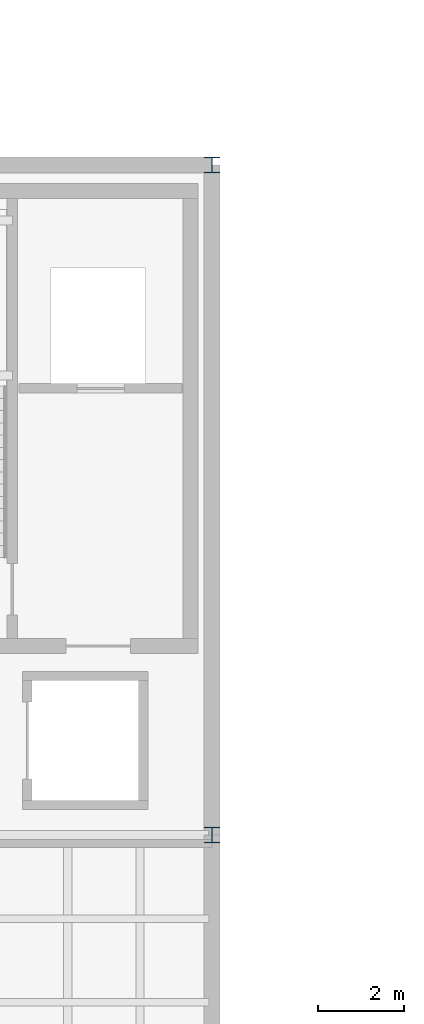
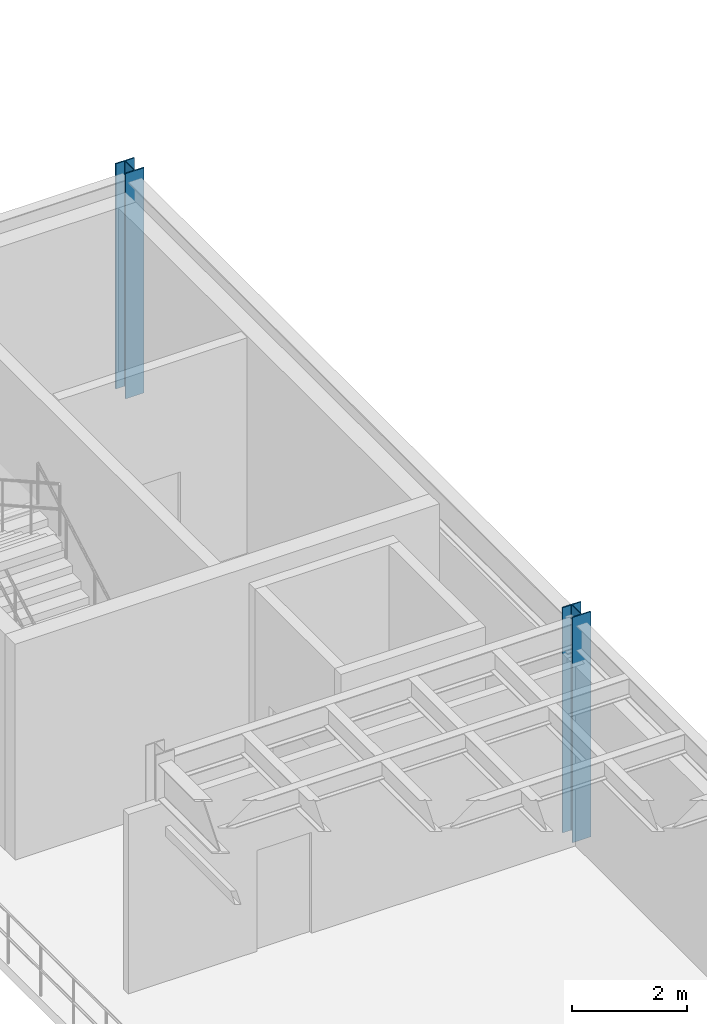
# One storey, part 8 of 105: 2 columns.
"""IFC4 building model written with IfcOpenShell, lengths in metres."""

from ifc_helpers import new_model, si_unit, direction, frame, origin, origin_2d, place, context, subcontext, project, spatial, i_section, extrude, material, material_profile, profile_set, type_object, element, save


model = new_model("IFC4")

# Units and contexts
model_context = context("Model", 3, precision=1e-05, world=origin(), true_north=direction((0.0, 1.0)))
body_context = subcontext(model_context, "Body", "Model", "MODEL_VIEW")
ifc_project = project(units=[si_unit("LENGTHUNIT", "METRE"), si_unit("AREAUNIT", "SQUARE_METRE"), si_unit("VOLUMEUNIT", "CUBIC_METRE"), si_unit("PLANEANGLEUNIT", "RADIAN"), si_unit("MASSUNIT", "GRAM", prefix="KILO")], contexts=[model_context])

# Site, building, storey
site_placement = place(None, origin())
site = spatial("IfcSite", under=ifc_project, at=site_placement, CompositionType="ELEMENT")
building_placement = place(site_placement, origin())
building = spatial("IfcBuilding", under=site, at=building_placement, Name="Selat Folded Stagehouse", CompositionType="ELEMENT")
storey_placement = place(building_placement, frame((0.0, 0.0, 10.199951171875)))
storey = spatial("IfcBuildingStorey", under=building, at=storey_placement, Name="L02", CompositionType="ELEMENT", Elevation=10.199951171875)

# Columns
ifc_material = material(Name="Steel S355", Category="steel")
ifc_material_profile = material_profile(ifc_material, i_section(OverallWidth=0.37255859375, OverallDepth=0.3681640625, WebThickness=0.014404296875, FlangeThickness=0.023681640625, FilletRadius=0.01513671875, at=origin_2d()), Name="UKC 356x368x177")
ifc_profile_set = profile_set([ifc_material_profile], Name="Steel S355")
column_type = type_object("IfcColumnType", Name="COL-UKC-356x368x177", PredefinedType="COLUMN", material=ifc_profile_set)
for number, where, z_axis, x_axis, name in (
    (1, (67.199951171875, 39.0, 0.0), (0.0, 0.0, 1.0), (1.0, 0.0, 0.0), "L02 column STK-V2-23"),
    (2, (67.199951171875, 54.60009765625, 0.0), (0.0, 0.0, 1.0), (1.0, 0.0, 0.0), "L02 column STK-V2-24"),
):
    element("IfcColumn", number, at=place(storey_placement, frame(where, z_axis=z_axis, x_axis=x_axis)), inside=storey, type_object=column_type, Name=name, PredefinedType="COLUMN", context=body_context, shape_type="SweptSolid", body=[
        extrude(i_section(OverallWidth=0.37255859375, OverallDepth=0.3681640625, WebThickness=0.014404296875, FlangeThickness=0.023681640625, FilletRadius=0.01513671875, at=origin_2d()), origin(), (0.0, 0.0, 1.0), 4.800048828125),
    ])

save(model, "model.ifc")
